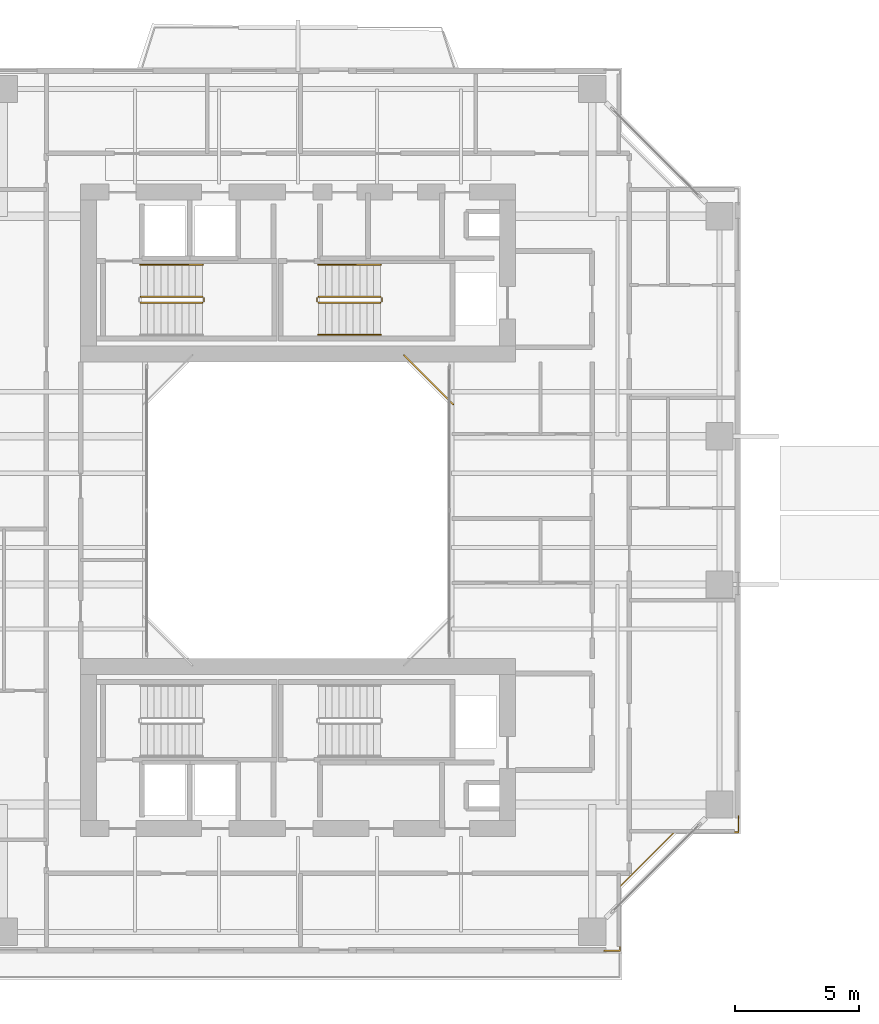
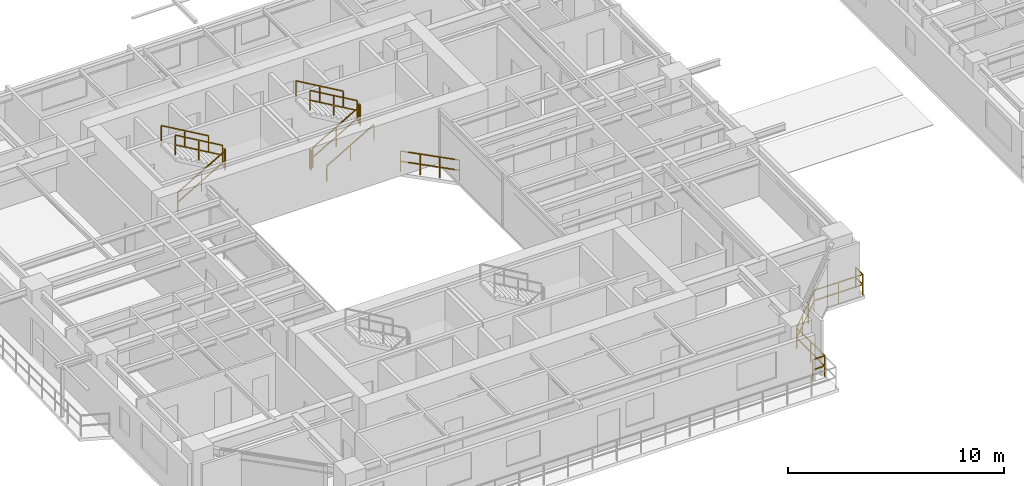
# One storey, part 21 of 23: 12 railings.
"""IFC4 building model written with IfcOpenShell, lengths in metres."""

from ifc_helpers import new_model, si_unit, direction, frame, origin, origin_2d, place, context, subcontext, project, spatial, rectangle, extrude, material, type_object, element, save


model = new_model("IFC4")

# Units and contexts
model_context = context("Model", 3, precision=1e-05, world=origin(), true_north=direction((0.0, 1.0)))
body_context = subcontext(model_context, "Body", "Model", "MODEL_VIEW")
ifc_project = project(units=[si_unit("LENGTHUNIT", "METRE"), si_unit("AREAUNIT", "SQUARE_METRE"), si_unit("VOLUMEUNIT", "CUBIC_METRE"), si_unit("PLANEANGLEUNIT", "RADIAN"), si_unit("MASSUNIT", "GRAM", prefix="KILO"), si_unit("THERMODYNAMICTEMPERATUREUNIT", "KELVIN"), si_unit("POWERUNIT", "WATT")], contexts=[model_context])

# Site, building, storey
site_placement = place(None, origin())
site = spatial("IfcSite", under=ifc_project, at=site_placement, CompositionType="ELEMENT")
building_placement = place(site_placement, origin())
building = spatial("IfcBuilding", under=site, at=building_placement, Name="Qiaomeng Ring Towers", CompositionType="ELEMENT")
storey_placement = place(building_placement, frame((0.0, 0.0, 97.0)))
storey = spatial("IfcBuildingStorey", under=building, at=storey_placement, Name="L27", CompositionType="ELEMENT", Elevation=97.0)

# Railings
ifc_material_1 = material(Name="Low-E pale-green laminated safety glass", Category="glass")
railing_type_1 = type_object("IfcRailingType", Name="ARC-RL-BAL1", PredefinedType="BALUSTRADE", material=ifc_material_1)
railing_1_placement = place(storey_placement, frame((25.280029296875, 27.280029296875, 0.0)))
element("IfcRailing", 1, at=railing_1_placement, inside=storey, type_object=railing_type_1, Name="L27 Balustrade ARC-BAL-WELL1-L27-2", PredefinedType="BALUSTRADE", context=body_context, shape_type="SweptSolid", body=[
    extrude(rectangle(XDim=0.048095703125, YDim=0.048095703125, at=origin_2d()), frame((0.0, 0.0, 1.17578125), z_axis=(-0.707106781187, 0.707106781187, 0.0), x_axis=(-0.707106781187, -0.707106781187, 0.0)), (0.0, 0.0, 1.0), 2.828369140625),
    extrude(rectangle(XDim=0.048095703125, YDim=0.048095703125, at=origin_2d()), frame((0.0, 0.0, 0.60009765625), z_axis=(-0.707106781187, 0.707106781187, 0.0), x_axis=(-0.707106781187, -0.707106781187, 0.0)), (0.0, 0.0, 1.0), 2.828369140625),
    extrude(rectangle(XDim=0.0419921875, YDim=0.0419921875, at=origin_2d()), origin(), (0.0, 0.0, 1.0), 1.15185546875),
    extrude(rectangle(XDim=0.0419921875, YDim=0.0419921875, at=origin_2d()), frame((-0.666748046875, 0.666748046875, 0.0)), (0.0, 0.0, 1.0), 1.15185546875),
    extrude(rectangle(XDim=0.0419921875, YDim=0.0419921875, at=origin_2d()), frame((-1.333251953125, 1.333251953125, 0.0)), (0.0, 0.0, 1.0), 1.15185546875),
    extrude(rectangle(XDim=0.0419921875, YDim=0.0419921875, at=origin_2d()), frame((-2.0, 2.0, 0.0)), (0.0, 0.0, 1.0), 1.15185546875),
])
railing_2_placement = place(storey_placement, frame((31.3701171875, 5.179931640625, 0.0)))
element("IfcRailing", 2, at=railing_2_placement, inside=storey, type_object=railing_type_1, Name="L27 Balustrade ARC-BAL-NOTCH1-L27-SE", PredefinedType="BALUSTRADE", context=body_context, shape_type="SweptSolid", body=[
    extrude(rectangle(XDim=0.048095703125, YDim=0.048095703125, at=origin_2d()), frame((0.0, 0.0, 1.17578125), z_axis=(1.0, 0.0, 0.0), x_axis=(0.0, 1.0, 0.0)), (0.0, 0.0, 1.0), 0.64990234375),
    extrude(rectangle(XDim=0.048095703125, YDim=0.048095703125, at=origin_2d()), frame((0.0, 0.0, 0.60009765625), z_axis=(1.0, 0.0, 0.0), x_axis=(0.0, 1.0, 0.0)), (0.0, 0.0, 1.0), 0.64990234375),
    extrude(rectangle(XDim=0.048095703125, YDim=0.048095703125, at=origin_2d()), frame((0.64990234375, 0.0, 1.17578125), z_axis=(0.0, 1.0, 0.0), x_axis=(-1.0, 0.0, 0.0)), (0.0, 0.0, 1.0), 2.60009765625),
    extrude(rectangle(XDim=0.048095703125, YDim=0.048095703125, at=origin_2d()), frame((0.64990234375, 0.0, 0.60009765625), z_axis=(0.0, 1.0, 0.0), x_axis=(-1.0, 0.0, 0.0)), (0.0, 0.0, 1.0), 2.60009765625),
    extrude(rectangle(XDim=0.048095703125, YDim=0.048095703125, at=origin_2d()), frame((0.64990234375, 2.60009765625, 1.17578125), z_axis=(0.707106781187, 0.707106781187, 0.0), x_axis=(-0.707106781187, 0.707106781187, 0.0)), (0.0, 0.0, 1.0), 3.111083984375),
    extrude(rectangle(XDim=0.048095703125, YDim=0.048095703125, at=origin_2d()), frame((0.64990234375, 2.60009765625, 0.60009765625), z_axis=(0.707106781187, 0.707106781187, 0.0), x_axis=(-0.707106781187, 0.707106781187, 0.0)), (0.0, 0.0, 1.0), 3.111083984375),
    extrude(rectangle(XDim=0.048095703125, YDim=0.048095703125, at=origin_2d()), frame((2.849853515625, 4.800048828125, 1.17578125), z_axis=(1.0, 0.0, 0.0), x_axis=(0.0, 1.0, 0.0)), (0.0, 0.0, 1.0), 2.60009765625),
    extrude(rectangle(XDim=0.048095703125, YDim=0.048095703125, at=origin_2d()), frame((2.849853515625, 4.800048828125, 0.60009765625), z_axis=(1.0, 0.0, 0.0), x_axis=(0.0, 1.0, 0.0)), (0.0, 0.0, 1.0), 2.60009765625),
    extrude(rectangle(XDim=0.048095703125, YDim=0.048095703125, at=origin_2d()), frame((5.449951171875, 4.800048828125, 1.17578125), z_axis=(0.0, 1.0, 0.0), x_axis=(-1.0, 0.0, 0.0)), (0.0, 0.0, 1.0), 0.64990234375),
    extrude(rectangle(XDim=0.048095703125, YDim=0.048095703125, at=origin_2d()), frame((5.449951171875, 4.800048828125, 0.60009765625), z_axis=(0.0, 1.0, 0.0), x_axis=(-1.0, 0.0, 0.0)), (0.0, 0.0, 1.0), 0.64990234375),
    extrude(rectangle(XDim=0.0419921875, YDim=0.0419921875, at=origin_2d()), origin(), (0.0, 0.0, 1.0), 1.15185546875),
    extrude(rectangle(XDim=0.0419921875, YDim=0.0419921875, at=origin_2d()), frame((0.64990234375, 0.0, 0.0)), (0.0, 0.0, 1.0), 1.15185546875),
    extrude(rectangle(XDim=0.0419921875, YDim=0.0419921875, at=origin_2d()), frame((0.64990234375, 1.300048828125, 0.0)), (0.0, 0.0, 1.0), 1.15185546875),
    extrude(rectangle(XDim=0.0419921875, YDim=0.0419921875, at=origin_2d()), frame((0.64990234375, 2.60009765625, 0.0)), (0.0, 0.0, 1.0), 1.15185546875),
    extrude(rectangle(XDim=0.0419921875, YDim=0.0419921875, at=origin_2d()), frame((1.38330078125, 3.33349609375, 0.0)), (0.0, 0.0, 1.0), 1.15185546875),
    extrude(rectangle(XDim=0.0419921875, YDim=0.0419921875, at=origin_2d()), frame((2.116455078125, 4.066650390625, 0.0)), (0.0, 0.0, 1.0), 1.15185546875),
    extrude(rectangle(XDim=0.0419921875, YDim=0.0419921875, at=origin_2d()), frame((2.849853515625, 4.800048828125, 0.0)), (0.0, 0.0, 1.0), 1.15185546875),
    extrude(rectangle(XDim=0.0419921875, YDim=0.0419921875, at=origin_2d()), frame((4.14990234375, 4.800048828125, 0.0)), (0.0, 0.0, 1.0), 1.15185546875),
    extrude(rectangle(XDim=0.0419921875, YDim=0.0419921875, at=origin_2d()), frame((5.449951171875, 4.800048828125, 0.0)), (0.0, 0.0, 1.0), 1.15185546875),
    extrude(rectangle(XDim=0.0419921875, YDim=0.0419921875, at=origin_2d()), frame((5.449951171875, 5.449951171875, 0.0)), (0.0, 0.0, 1.0), 1.15185546875),
])
ifc_material_2 = material(Name="Galvanised steel", Category="steel")
railing_type_2 = type_object("IfcRailingType", Name="ARC-RL-GUARD", PredefinedType="GUARDRAIL", material=ifc_material_2)
railing_3_placement = place(storey_placement, frame((12.6201171875, 31.39990234375, 0.16259765625)))
element("IfcRailing", 3, at=railing_3_placement, inside=storey, type_object=railing_type_2, Name="L27 ST1 stair guard 1", PredefinedType="GUARDRAIL", context=body_context, shape_type="SweptSolid", body=[
    extrude(rectangle(XDim=0.048095703125, YDim=0.048095703125, at=origin_2d()), frame((0.0, 0.0, 1.1259765625), z_axis=(0.864892226395, 0.0, 0.501957604506), x_axis=(0.0, 1.0, 0.0)), (0.0, 0.0, 1.0), 2.913330078125),
    extrude(rectangle(XDim=0.048095703125, YDim=0.048095703125, at=origin_2d()), frame((0.0, 0.0, 0.574951171875), z_axis=(0.864892226395, 0.0, 0.501957604506), x_axis=(0.0, 1.0, 0.0)), (0.0, 0.0, 1.0), 2.913330078125),
    extrude(rectangle(XDim=0.0419921875, YDim=0.0419921875, at=origin_2d()), origin(), (0.0, 0.0, 1.0), 1.101806640625),
    extrude(rectangle(XDim=0.0419921875, YDim=0.0419921875, at=origin_2d()), frame((1.259765625, 0.0, 0.731201171875)), (0.0, 0.0, 1.0), 1.101806640625),
    extrude(rectangle(XDim=0.0419921875, YDim=0.0419921875, at=origin_2d()), frame((2.519775390625, 0.0, 1.46240234375)), (0.0, 0.0, 1.0), 1.101806640625),
])
railing_4_placement = place(storey_placement, frame((15.18994140625, 31.449951171875, 1.625)))
element("IfcRailing", 4, at=railing_4_placement, inside=storey, type_object=railing_type_2, Name="L27 ST1 stair guard 2", PredefinedType="GUARDRAIL", context=body_context, shape_type="SweptSolid", body=[
    extrude(rectangle(XDim=0.048095703125, YDim=0.048095703125, at=origin_2d()), frame((0.0, 0.0, 1.1259765625), z_axis=(0.0, 1.0, 0.0), x_axis=(-1.0, 0.0, 0.0)), (0.0, 0.0, 1.0), 0.14013671875),
    extrude(rectangle(XDim=0.048095703125, YDim=0.048095703125, at=origin_2d()), frame((0.0, 0.0, 0.574951171875), z_axis=(0.0, 1.0, 0.0), x_axis=(-1.0, 0.0, 0.0)), (0.0, 0.0, 1.0), 0.14013671875),
    extrude(rectangle(XDim=0.0419921875, YDim=0.0419921875, at=origin_2d()), origin(), (0.0, 0.0, 1.0), 1.101806640625),
    extrude(rectangle(XDim=0.0419921875, YDim=0.0419921875, at=origin_2d()), frame((0.0, 0.14013671875, 0.0)), (0.0, 0.0, 1.0), 1.101806640625),
])
railing_5_placement = place(storey_placement, frame((15.139892578125, 31.639892578125, 1.78759765625)))
element("IfcRailing", 5, at=railing_5_placement, inside=storey, type_object=railing_type_2, Name="L27 ST1 stair guard 3", PredefinedType="GUARDRAIL", context=body_context, shape_type="SweptSolid", body=[
    extrude(rectangle(XDim=0.048095703125, YDim=0.048095703125, at=origin_2d()), frame((0.0, 0.0, 1.1259765625), z_axis=(-0.864892226395, 0.0, 0.501957604506), x_axis=(0.0, -1.0, 0.0)), (0.0, 0.0, 1.0), 2.913330078125),
    extrude(rectangle(XDim=0.048095703125, YDim=0.048095703125, at=origin_2d()), frame((0.0, 0.0, 0.574951171875), z_axis=(-0.864892226395, 0.0, 0.501957604506), x_axis=(0.0, -1.0, 0.0)), (0.0, 0.0, 1.0), 2.913330078125),
    extrude(rectangle(XDim=0.0419921875, YDim=0.0419921875, at=origin_2d()), origin(), (0.0, 0.0, 1.0), 1.101806640625),
    extrude(rectangle(XDim=0.0419921875, YDim=0.0419921875, at=origin_2d()), frame((-1.259765625, 0.0, 0.731201171875)), (0.0, 0.0, 1.0), 1.101806640625),
    extrude(rectangle(XDim=0.0419921875, YDim=0.0419921875, at=origin_2d()), frame((-2.519775390625, 0.0, 1.46240234375)), (0.0, 0.0, 1.0), 1.101806640625),
])
railing_6_placement = place(storey_placement, frame((19.820068359375, 31.39990234375, 0.16259765625)))
element("IfcRailing", 6, at=railing_6_placement, inside=storey, type_object=railing_type_2, Name="L27 ST2 stair guard 1", PredefinedType="GUARDRAIL", context=body_context, shape_type="SweptSolid", body=[
    extrude(rectangle(XDim=0.048095703125, YDim=0.048095703125, at=origin_2d()), frame((0.0, 0.0, 1.1259765625), z_axis=(0.864913338283, 0.0, 0.50192122615), x_axis=(0.0, 1.0, 0.0)), (0.0, 0.0, 1.0), 2.91357421875),
    extrude(rectangle(XDim=0.048095703125, YDim=0.048095703125, at=origin_2d()), frame((0.0, 0.0, 0.574951171875), z_axis=(0.864913338283, 0.0, 0.50192122615), x_axis=(0.0, 1.0, 0.0)), (0.0, 0.0, 1.0), 2.91357421875),
    extrude(rectangle(XDim=0.0419921875, YDim=0.0419921875, at=origin_2d()), origin(), (0.0, 0.0, 1.0), 1.101806640625),
    extrude(rectangle(XDim=0.0419921875, YDim=0.0419921875, at=origin_2d()), frame((1.260009765625, 0.0, 0.731201171875)), (0.0, 0.0, 1.0), 1.101806640625),
    extrude(rectangle(XDim=0.0419921875, YDim=0.0419921875, at=origin_2d()), frame((2.52001953125, 0.0, 1.46240234375)), (0.0, 0.0, 1.0), 1.101806640625),
])
railing_7_placement = place(storey_placement, frame((22.389892578125, 31.449951171875, 1.625)))
element("IfcRailing", 7, at=railing_7_placement, inside=storey, type_object=railing_type_2, Name="L27 ST2 stair guard 2", PredefinedType="GUARDRAIL", context=body_context, shape_type="SweptSolid", body=[
    extrude(rectangle(XDim=0.048095703125, YDim=0.048095703125, at=origin_2d()), frame((0.0, 0.0, 1.1259765625), z_axis=(0.0, 1.0, 0.0), x_axis=(-1.0, 0.0, 0.0)), (0.0, 0.0, 1.0), 0.14013671875),
    extrude(rectangle(XDim=0.048095703125, YDim=0.048095703125, at=origin_2d()), frame((0.0, 0.0, 0.574951171875), z_axis=(0.0, 1.0, 0.0), x_axis=(-1.0, 0.0, 0.0)), (0.0, 0.0, 1.0), 0.14013671875),
    extrude(rectangle(XDim=0.0419921875, YDim=0.0419921875, at=origin_2d()), origin(), (0.0, 0.0, 1.0), 1.101806640625),
    extrude(rectangle(XDim=0.0419921875, YDim=0.0419921875, at=origin_2d()), frame((0.0, 0.14013671875, 0.0)), (0.0, 0.0, 1.0), 1.101806640625),
])
railing_8_placement = place(storey_placement, frame((22.340087890625, 31.639892578125, 1.78759765625)))
element("IfcRailing", 8, at=railing_8_placement, inside=storey, type_object=railing_type_2, Name="L27 ST2 stair guard 3", PredefinedType="GUARDRAIL", context=body_context, shape_type="SweptSolid", body=[
    extrude(rectangle(XDim=0.048095703125, YDim=0.048095703125, at=origin_2d()), frame((0.0, 0.0, 1.1259765625), z_axis=(-0.864913338283, 0.0, 0.50192122615), x_axis=(0.0, -1.0, 0.0)), (0.0, 0.0, 1.0), 2.91357421875),
    extrude(rectangle(XDim=0.048095703125, YDim=0.048095703125, at=origin_2d()), frame((0.0, 0.0, 0.574951171875), z_axis=(-0.864913338283, 0.0, 0.50192122615), x_axis=(0.0, -1.0, 0.0)), (0.0, 0.0, 1.0), 2.91357421875),
    extrude(rectangle(XDim=0.0419921875, YDim=0.0419921875, at=origin_2d()), origin(), (0.0, 0.0, 1.0), 1.101806640625),
    extrude(rectangle(XDim=0.0419921875, YDim=0.0419921875, at=origin_2d()), frame((-1.260009765625, 0.0, 0.731201171875)), (0.0, 0.0, 1.0), 1.101806640625),
    extrude(rectangle(XDim=0.0419921875, YDim=0.0419921875, at=origin_2d()), frame((-2.52001953125, 0.0, 1.46240234375)), (0.0, 0.0, 1.0), 1.101806640625),
])
railing_9_placement = place(storey_placement, frame((19.77001953125, 31.449951171875, 0.0)))
element("IfcRailing", 9, at=railing_9_placement, inside=storey, type_object=railing_type_2, Name="L27 ST2 stair guard 4", PredefinedType="GUARDRAIL", context=body_context, shape_type="SweptSolid", body=[
    extrude(rectangle(XDim=0.048095703125, YDim=0.048095703125, at=origin_2d()), frame((0.0, 0.0, 1.1259765625), z_axis=(0.0, 1.0, 0.0), x_axis=(-1.0, 0.0, 0.0)), (0.0, 0.0, 1.0), 0.14013671875),
    extrude(rectangle(XDim=0.048095703125, YDim=0.048095703125, at=origin_2d()), frame((0.0, 0.0, 0.574951171875), z_axis=(0.0, 1.0, 0.0), x_axis=(-1.0, 0.0, 0.0)), (0.0, 0.0, 1.0), 0.14013671875),
    extrude(rectangle(XDim=0.0419921875, YDim=0.0419921875, at=origin_2d()), origin(), (0.0, 0.0, 1.0), 1.101806640625),
    extrude(rectangle(XDim=0.0419921875, YDim=0.0419921875, at=origin_2d()), frame((0.0, 0.14013671875, 0.0)), (0.0, 0.0, 1.0), 1.101806640625),
])
ifc_material_3 = material(Name="Stainless steel 316", Category="steel")
railing_type_3 = type_object("IfcRailingType", Name="ARC-RL-HAND", PredefinedType="HANDRAIL", material=ifc_material_3)
railing_10_placement = place(storey_placement, frame((15.139892578125, 32.93994140625, 1.78759765625)))
element("IfcRailing", 10, at=railing_10_placement, inside=storey, type_object=railing_type_3, Name="L27 ST1 stair handrail 2", PredefinedType="HANDRAIL", context=body_context, shape_type="SweptSolid", body=[
    extrude(rectangle(XDim=0.048095703125, YDim=0.048095703125, at=origin_2d()), frame((0.0, 0.0, 0.8759765625), z_axis=(-0.864892226395, 0.0, 0.501957604506), x_axis=(0.0, -1.0, 0.0)), (0.0, 0.0, 1.0), 2.913330078125),
    extrude(rectangle(XDim=0.0419921875, YDim=0.0419921875, at=origin_2d()), origin(), (0.0, 0.0, 1.0), 0.851806640625),
    extrude(rectangle(XDim=0.0419921875, YDim=0.0419921875, at=origin_2d()), frame((-1.259765625, 0.0, 0.731201171875)), (0.0, 0.0, 1.0), 0.851806640625),
    extrude(rectangle(XDim=0.0419921875, YDim=0.0419921875, at=origin_2d()), frame((-2.519775390625, 0.0, 1.46240234375)), (0.0, 0.0, 1.0), 0.851806640625),
])
railing_11_placement = place(storey_placement, frame((19.820068359375, 30.10009765625, 0.16259765625)))
element("IfcRailing", 11, at=railing_11_placement, inside=storey, type_object=railing_type_3, Name="L27 ST2 stair handrail 1", PredefinedType="HANDRAIL", context=body_context, shape_type="SweptSolid", body=[
    extrude(rectangle(XDim=0.048095703125, YDim=0.048095703125, at=origin_2d()), frame((0.0, 0.0, 0.8759765625), z_axis=(0.864913338283, 0.0, 0.50192122615), x_axis=(0.0, 1.0, 0.0)), (0.0, 0.0, 1.0), 2.91357421875),
    extrude(rectangle(XDim=0.0419921875, YDim=0.0419921875, at=origin_2d()), origin(), (0.0, 0.0, 1.0), 0.851806640625),
    extrude(rectangle(XDim=0.0419921875, YDim=0.0419921875, at=origin_2d()), frame((1.260009765625, 0.0, 0.731201171875)), (0.0, 0.0, 1.0), 0.851806640625),
    extrude(rectangle(XDim=0.0419921875, YDim=0.0419921875, at=origin_2d()), frame((2.52001953125, 0.0, 1.46240234375)), (0.0, 0.0, 1.0), 0.851806640625),
])
railing_12_placement = place(storey_placement, frame((22.340087890625, 32.93994140625, 1.78759765625)))
element("IfcRailing", 12, at=railing_12_placement, inside=storey, type_object=railing_type_3, Name="L27 ST2 stair handrail 2", PredefinedType="HANDRAIL", context=body_context, shape_type="SweptSolid", body=[
    extrude(rectangle(XDim=0.048095703125, YDim=0.048095703125, at=origin_2d()), frame((0.0, 0.0, 0.8759765625), z_axis=(-0.864913338283, 0.0, 0.50192122615), x_axis=(0.0, -1.0, 0.0)), (0.0, 0.0, 1.0), 2.91357421875),
    extrude(rectangle(XDim=0.0419921875, YDim=0.0419921875, at=origin_2d()), origin(), (0.0, 0.0, 1.0), 0.851806640625),
    extrude(rectangle(XDim=0.0419921875, YDim=0.0419921875, at=origin_2d()), frame((-1.260009765625, 0.0, 0.731201171875)), (0.0, 0.0, 1.0), 0.851806640625),
    extrude(rectangle(XDim=0.0419921875, YDim=0.0419921875, at=origin_2d()), frame((-2.52001953125, 0.0, 1.46240234375)), (0.0, 0.0, 1.0), 0.851806640625),
])

save(model, "model.ifc")
